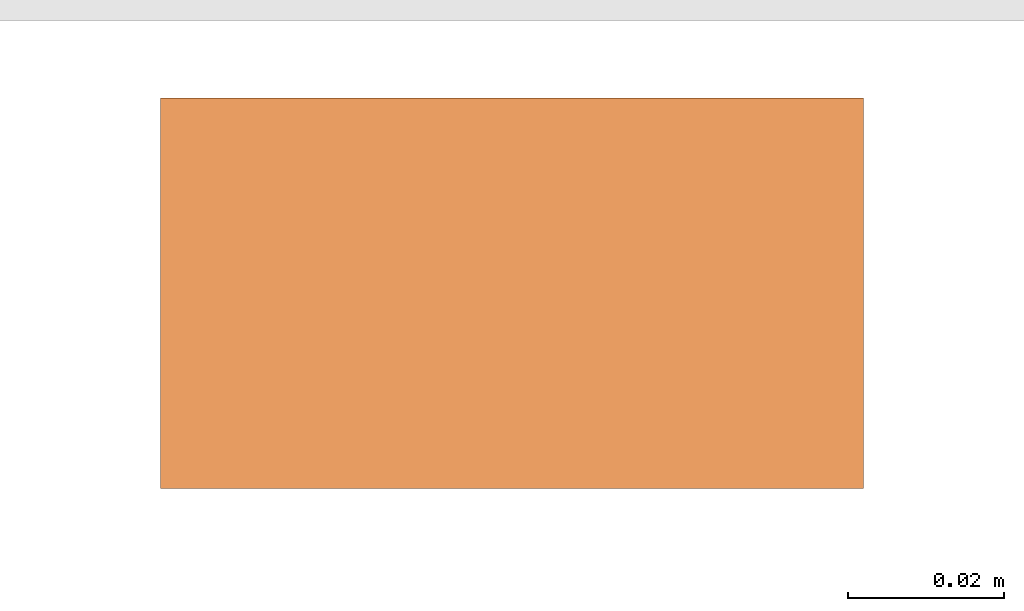
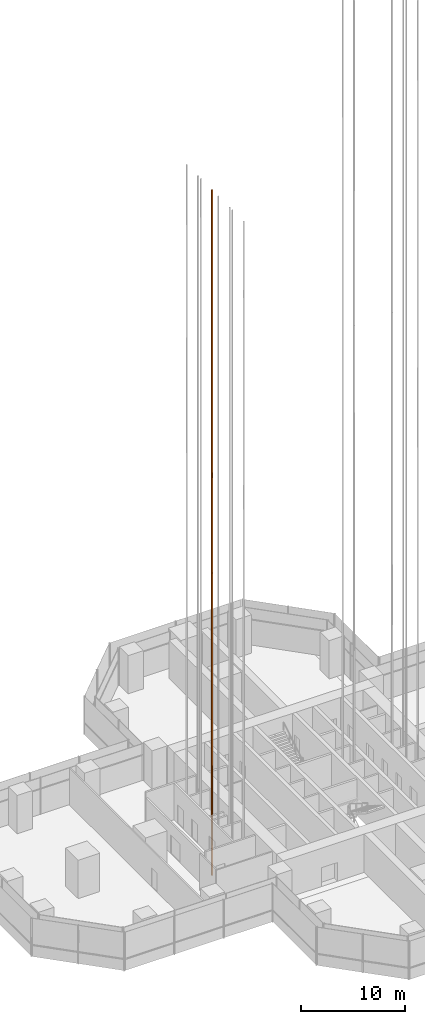
# One storey, part 25 of 34: 1 proxy.
"""IFC4 building model written with IfcOpenShell, lengths in metres."""

import ifcopenshell
import ifcopenshell.guid

model = None  # the IFC model being written
_history = None  # IfcOwnerHistory: only IFC2X3 demands one
_inside = {}  # id of a spatial element -> (the spatial element, [elements in it])
_under = {}  # id of a project, library or spatial element -> (it, [spatial elements below it])
_declared = {}  # id of a project -> (the project, [libraries it declares])
_typed = {}  # id of a type object -> (the type object, [elements of that type])
_made_of = {}  # id of a material, layer set ... -> (it, [elements and type objects made of it])


def new_model(schema):
    """Start an empty IFC model of exactly this schema.

    Asked for "IFC4X3", IfcOpenShell would pick the latest addendum, in which some entities
    have other attributes; the version numbers below select the first issue.
    IFC2X3 requires an IfcOwnerHistory on every rooted entity: one is made here for all.
    """
    global model, _history
    if schema == "IFC4X3":
        model = ifcopenshell.file(schema_version=(4, 3, 0, 0))
    else:
        model = ifcopenshell.file(schema=schema)
    _inside.clear()
    _under.clear()
    _declared.clear()
    _typed.clear()
    _made_of.clear()
    _history = None
    if model.schema == "IFC2X3":
        org = make("IfcOrganization", Name="unknown")
        user = make(
            "IfcPersonAndOrganization",
            ThePerson=make("IfcPerson", FamilyName="unknown"),
            TheOrganization=org,
        )
        app = make(
            "IfcApplication",
            ApplicationDeveloper=org,
            Version="unknown",
            ApplicationFullName="unknown",
            ApplicationIdentifier="unknown",
        )
        _history = make(
            "IfcOwnerHistory",
            OwningUser=user,
            OwningApplication=app,
            ChangeAction="ADDED",
            CreationDate=0,
        )
    return model


def make(cls, **values):
    """One entity of the class cls with the attributes given. An attribute that is None is left unset."""
    return model.create_entity(
        cls, **{name: value for name, value in values.items() if value is not None}
    )


def rooted(cls, **values):
    """An entity with a GlobalId (a new one), such as an element, a storey or a relation."""
    return make(cls, GlobalId=ifcopenshell.guid.new(), OwnerHistory=_history, **values)


def si_unit(unit_type, name, prefix=None):
    """IfcSIUnit, for example si_unit("LENGTHUNIT", "METRE", prefix="MILLI")."""
    return make("IfcSIUnit", UnitType=unit_type, Prefix=prefix, Name=name)


def assignment(units):
    """IfcUnitAssignment: the units of a project."""
    return None if units is None else make("IfcUnitAssignment", Units=units)


def point(xyz):
    """IfcCartesianPoint."""
    return None if xyz is None else make("IfcCartesianPoint", Coordinates=xyz)


def direction(xyz):
    """IfcDirection."""
    return None if xyz is None else make("IfcDirection", DirectionRatios=xyz)


def frame(location, z_axis=None, x_axis=None):
    """IfcAxis2Placement3D, a coordinate frame: its origin and axes. An axis left out is left unset."""
    return make(
        "IfcAxis2Placement3D",
        Location=point(location),
        Axis=direction(z_axis),
        RefDirection=direction(x_axis),
    )


def frame_2d(location, x_axis=None):
    """IfcAxis2Placement2D, a coordinate frame in the plane: its origin and x axis."""
    return make(
        "IfcAxis2Placement2D", Location=point(location), RefDirection=direction(x_axis)
    )


def origin():
    """The frame at (0, 0, 0) with its axes left unset."""
    return frame((0.0, 0.0, 0.0))


def origin_2d():
    """The frame at (0, 0) in the plane with its x axis left unset."""
    return frame_2d((0.0, 0.0))


def place(relative_to, where):
    """IfcLocalPlacement: puts the frame where relative to a parent placement (None: the world)."""
    return make(
        "IfcLocalPlacement", PlacementRelTo=relative_to, RelativePlacement=where
    )


def context(
    kind, dimensions, precision=None, world=None, true_north=None, identifier=None
):
    """IfcGeometricRepresentationContext, for example the 3D "Model" context."""
    return make(
        "IfcGeometricRepresentationContext",
        ContextIdentifier=identifier,
        ContextType=kind,
        CoordinateSpaceDimension=dimensions,
        Precision=precision,
        WorldCoordinateSystem=world,
        TrueNorth=true_north,
    )


def subcontext(parent, identifier, kind, view, scale=None):
    """IfcGeometricRepresentationSubContext, for example "Body" below "Model"."""
    return make(
        "IfcGeometricRepresentationSubContext",
        ContextIdentifier=identifier,
        ContextType=kind,
        ParentContext=parent,
        TargetScale=scale,
        TargetView=view,
    )


def project(units=None, contexts=None):
    """IfcProject with its units and contexts."""
    return rooted(
        "IfcProject",
        Name="project",
        RepresentationContexts=contexts,
        UnitsInContext=assignment(units),
    )


def spatial(cls, under=None, at=None, **own):
    """A site, building, storey or space (cls), placed at a placement, below another one or the project."""
    s = rooted(cls, ObjectPlacement=at, **own)
    if under is not None:
        _under.setdefault(under.id(), (under, []))[1].append(s)
    return s


def profile(cls, at=None, kind="AREA", **sizes):
    """A parametric profile (cls). Its sizes go by their IFC names, for example OverallWidth=200.0."""
    return make(cls, ProfileType=kind, Position=at, **sizes)


def rectangle(**sizes):
    """IfcRectangleProfileDef."""
    return profile("IfcRectangleProfileDef", **sizes)


def extrude(swept, where, along, depth):
    """IfcExtrudedAreaSolid: the profile swept, set in the frame where, extruded along a direction by depth."""
    return make(
        "IfcExtrudedAreaSolid",
        SweptArea=swept,
        Position=where,
        ExtrudedDirection=direction(along),
        Depth=depth,
    )


def shape(context_of_items, identifier, shape_type, items):
    """IfcShapeRepresentation: the items that make up one representation, for example the "Body"."""
    return make(
        "IfcShapeRepresentation",
        ContextOfItems=context_of_items,
        RepresentationIdentifier=identifier,
        RepresentationType=shape_type,
        Items=items,
    )


def material(Name=None, Category=None):
    """IfcMaterial."""
    return make("IfcMaterial", Name=Name, Category=Category)


def made_of(thing, what):
    """Note that an element or type object is made of a material, layer set ...; save() writes the relation."""
    if what is not None:
        _made_of.setdefault(what.id(), (what, []))[1].append(thing)
    return thing


def element(
    cls,
    number,
    at=None,
    inside=None,
    cuts=None,
    type_object=None,
    material=None,
    context=None,
    identifier="Body",
    shape_type=None,
    held_by="IfcProductDefinitionShape",
    body=None,
    shapes=None,
    **own,
):
    """One element of the class cls, such as IfcWall. Its Tag is "e" and its number.

    at: its placement. inside: the storey or other place that contains it. cuts: it is an
    opening in that element (IfcRelVoidsElement). A single representation is given by context,
    identifier, shape_type and body (its items); several are given by shapes. held_by: the class
    of the entity that holds the representations. save() writes the other relations.
    """
    e = rooted(cls, Tag="e%d" % number, ObjectPlacement=at, **own)
    if body is not None:
        shapes = [shape(context, identifier, shape_type, body)]
    if shapes is not None:
        e.Representation = make(held_by, Representations=shapes)
    if inside is not None:
        _inside.setdefault(inside.id(), (inside, []))[1].append(e)
    if cuts is not None:
        rooted(
            "IfcRelVoidsElement", RelatingBuildingElement=cuts, RelatedOpeningElement=e
        )
    if type_object is not None:
        _typed.setdefault(type_object.id(), (type_object, []))[1].append(e)
    return made_of(e, material)


def aggregate(whole, parts):
    """IfcRelAggregates: a whole, such as a stair, and the parts it consists of."""
    return rooted("IfcRelAggregates", RelatingObject=whole, RelatedObjects=parts)


def save(model, path):
    """Write the relations noted so far, then the file.

    IfcRelAggregates (storeys below a building ...), IfcRelContainedInSpatialStructure (elements
    in a storey), IfcRelDefinesByType, IfcRelAssociatesMaterial and IfcRelDeclares: one each for
    every whole, place, type object, material and project.
    """
    for whole, parts in _under.values():
        aggregate(whole, parts)
    for where, things in _inside.values():
        rooted(
            "IfcRelContainedInSpatialStructure",
            RelatedElements=things,
            RelatingStructure=where,
        )
    for kind, things in _typed.values():
        rooted("IfcRelDefinesByType", RelatedObjects=things, RelatingType=kind)
    for what, things in _made_of.values():
        rooted("IfcRelAssociatesMaterial", RelatedObjects=things, RelatingMaterial=what)
    for by, libraries in _declared.values():
        rooted("IfcRelDeclares", RelatingContext=by, RelatedDefinitions=libraries)
    model.write(path)


model = new_model("IFC4")

# Units and contexts
model_context = context("Model", 3, precision=1e-05, world=origin(), true_north=direction((0.0, 1.0)))
body_context = subcontext(model_context, "Body", "Model", "MODEL_VIEW")
ifc_project = project(units=[si_unit("LENGTHUNIT", "METRE"), si_unit("AREAUNIT", "SQUARE_METRE"), si_unit("VOLUMEUNIT", "CUBIC_METRE"), si_unit("PLANEANGLEUNIT", "RADIAN"), si_unit("MASSUNIT", "GRAM", prefix="KILO")], contexts=[model_context])

# Site, building, storey
site_placement = place(None, origin())
site = spatial("IfcSite", under=ifc_project, at=site_placement, CompositionType="ELEMENT")
building_placement = place(site_placement, origin())
building = spatial("IfcBuilding", under=site, at=building_placement, Name="Mizan Broadcast Tower", CompositionType="ELEMENT")
storey_placement = place(building_placement, frame((0.0, 0.0, 194.39990234375)))
storey = spatial("IfcBuildingStorey", under=building, at=storey_placement, Name="L45", CompositionType="ELEMENT", Elevation=194.39990234375)

# Proxy
ifc_material = material(Name="Steel guide rail", Category="steel")
proxy_placement = place(storey_placement, frame((-12.27490234375, 0.614990234375, -3.89990234375), z_axis=(0.0, 0.0, 1.0), x_axis=(1.0, 0.0, 0.0)))
element("IfcBuildingElementProxy", 1, at=proxy_placement, inside=storey, material=ifc_material, Name="Guide rail LC2-1", PredefinedType="NOTDEFINED", context=body_context, shape_type="SweptSolid", body=[
    extrude(rectangle(XDim=0.090087890625, YDim=0.050048828125, at=origin_2d()), origin(), (0.0, 0.0, 1.0), 80.52001953125),
])

save(model, "model.ifc")
